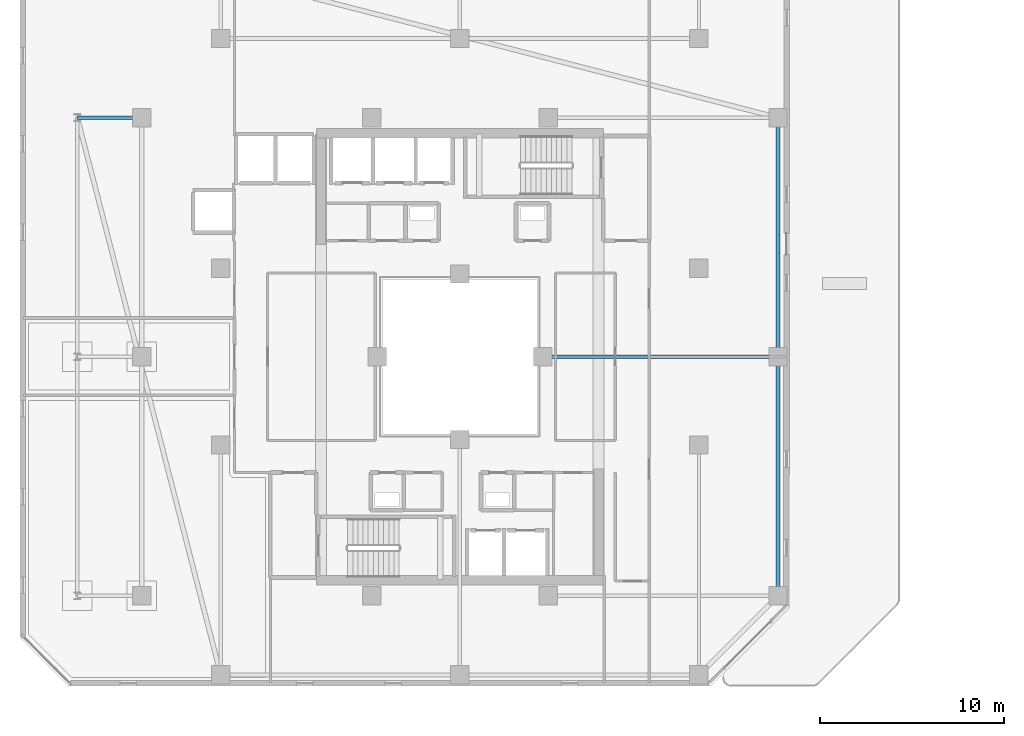
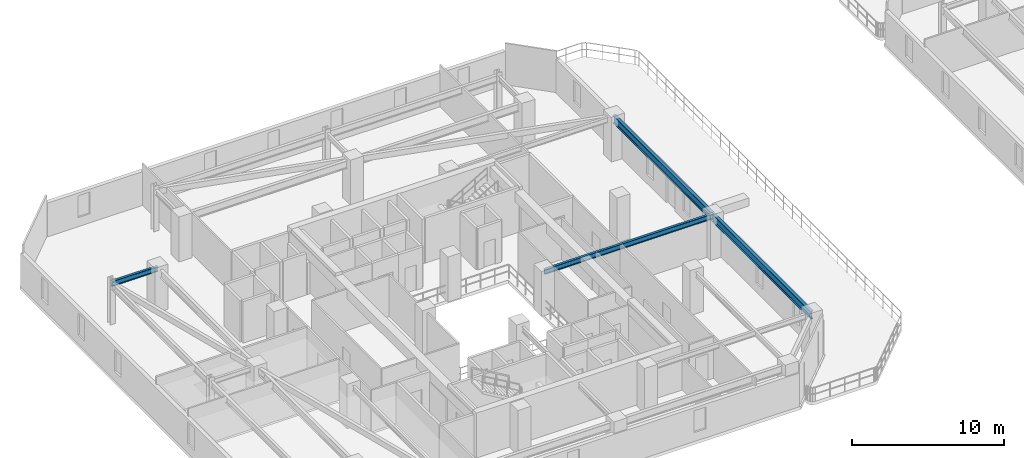
# One storey, part 7 of 32: 4 beams.
"""IFC4 building model written with IfcOpenShell, lengths in metres."""

from ifc_helpers import new_model, si_unit, direction, frame, origin, origin_2d, place, context, subcontext, project, spatial, i_section, extrude, material, material_profile, profile_set, type_object, element, save


model = new_model("IFC4")

# Units and contexts
model_context = context("Model", 3, precision=1e-05, world=origin(), true_north=direction((0.0, 1.0)))
body_context = subcontext(model_context, "Body", "Model", "MODEL_VIEW")
ifc_project = project(units=[si_unit("LENGTHUNIT", "METRE"), si_unit("AREAUNIT", "SQUARE_METRE"), si_unit("VOLUMEUNIT", "CUBIC_METRE"), si_unit("PLANEANGLEUNIT", "RADIAN"), si_unit("MASSUNIT", "GRAM", prefix="KILO")], contexts=[model_context])

# Site, building, storey
site_placement = place(None, origin())
site = spatial("IfcSite", under=ifc_project, at=site_placement, CompositionType="ELEMENT")
building_placement = place(site_placement, origin())
building = spatial("IfcBuilding", under=site, at=building_placement, Name="Thornwick Lancets Civic Towers", CompositionType="ELEMENT")
storey_placement = place(building_placement, frame((0.0, 0.0, 200.10009765625)))
storey = spatial("IfcBuildingStorey", under=building, at=storey_placement, Name="L53", CompositionType="ELEMENT", Elevation=200.10009765625)

# Beams
ifc_material = material(Name="Steel S355JR", Category="steel")
ifc_material_profile_1 = material_profile(ifc_material, i_section(OverallWidth=0.230224609375, OverallDepth=0.6171875, WebThickness=0.01318359375, FlangeThickness=0.022216796875, FilletRadius=0.0126953125, at=origin_2d()), Name="UKB 610x229x140")
ifc_profile_set_1 = profile_set([ifc_material_profile_1], Name="Steel S355JR")
beam_type_1 = type_object("IfcBeamType", Name="BM_GIRD_610_140", PredefinedType="BEAM", material=ifc_profile_set_1)
beam_1_placement = place(storey_placement, frame((42.800048828125, 14.0, 3.03125), z_axis=(0.0, 1.0, 0.0), x_axis=(-1.0, 0.0, 0.0)))
element("IfcBeam", 1, at=beam_1_placement, inside=storey, type_object=beam_type_1, Name="BM-SPINE-L53-A-3-4", PredefinedType="BEAM", context=body_context, shape_type="SweptSolid", body=[
    extrude(i_section(OverallWidth=0.230224609375, OverallDepth=0.6171875, WebThickness=0.01318359375, FlangeThickness=0.022216796875, FilletRadius=0.0126953125, at=origin_2d()), origin(), (0.0, 0.0, 1.0), 13.0),
])
beam_2_placement = place(storey_placement, frame((42.800048828125, 27.080078125, 3.03125), z_axis=(0.0, 1.0, 0.0), x_axis=(-1.0, 0.0, 0.0)))
element("IfcBeam", 2, at=beam_2_placement, inside=storey, type_object=beam_type_1, Name="BM-SPINE-L53-A-4-5", PredefinedType="BEAM", context=body_context, shape_type="SweptSolid", body=[
    extrude(i_section(OverallWidth=0.230224609375, OverallDepth=0.6171875, WebThickness=0.01318359375, FlangeThickness=0.022216796875, FilletRadius=0.0126953125, at=origin_2d()), origin(), (0.0, 0.0, 1.0), 12.919921875),
])
ifc_material_profile_2 = material_profile(ifc_material, i_section(OverallWidth=0.179443359375, OverallDepth=0.412841796875, WebThickness=0.009521484375, FlangeThickness=0.01611328125, FilletRadius=0.01025390625, at=origin_2d()), Name="UKB 406x178x74")
ifc_profile_set_2 = profile_set([ifc_material_profile_2], Name="Steel S355JR")
beam_type_2 = type_object("IfcBeamType", Name="BM_JOIST_406_74", PredefinedType="JOIST", material=ifc_profile_set_2)
beam_3_placement = place(storey_placement, frame((30.0, 27.0, 3.133544921875), z_axis=(1.0, 0.0, 0.0), x_axis=(0.0, 1.0, 0.0)))
element("IfcBeam", 3, at=beam_3_placement, inside=storey, type_object=beam_type_2, Name="BM-RADIN-L53-A05", PredefinedType="JOIST", context=body_context, shape_type="SweptSolid", body=[
    extrude(i_section(OverallWidth=0.179443359375, OverallDepth=0.412841796875, WebThickness=0.009521484375, FlangeThickness=0.01611328125, FilletRadius=0.01025390625, at=origin_2d()), origin(), (0.0, 0.0, 1.0), 12.800048828125),
])
beam_4_placement = place(storey_placement, frame((8.199951171875, 40.0, 3.133544921875), z_axis=(-1.0, 0.0, 0.0), x_axis=(0.0, -1.0, 0.0)))
element("IfcBeam", 4, at=beam_4_placement, inside=storey, type_object=beam_type_2, Name="BM-RAD-L53-A12", PredefinedType="JOIST", context=body_context, shape_type="SweptSolid", body=[
    extrude(i_section(OverallWidth=0.179443359375, OverallDepth=0.412841796875, WebThickness=0.009521484375, FlangeThickness=0.01611328125, FilletRadius=0.01025390625, at=origin_2d()), origin(), (0.0, 0.0, 1.0), 3.5),
])

save(model, "model.ifc")
